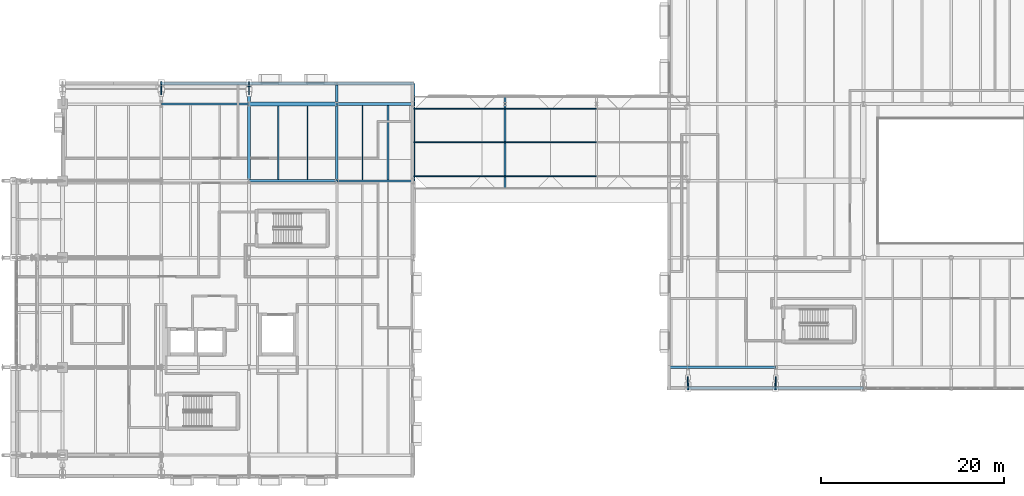
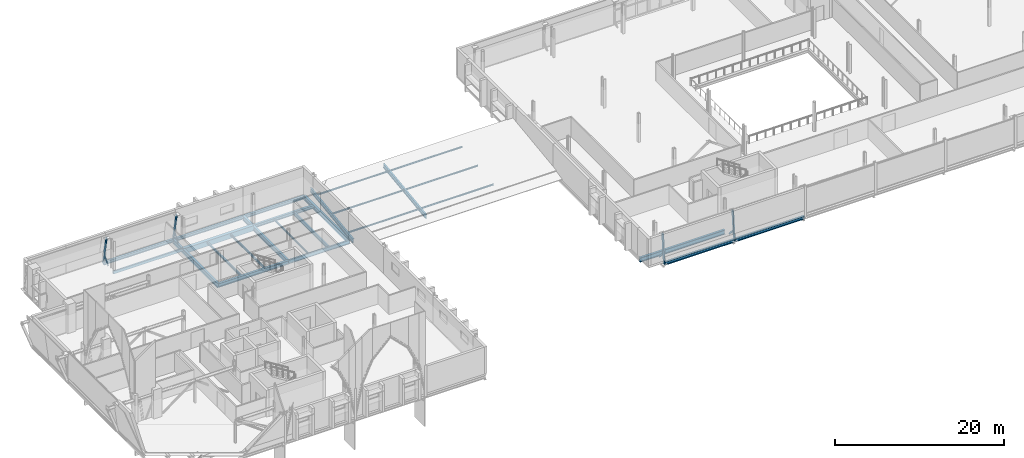
# One storey, part 25 of 90: 20 beams, 14 members.
"""IFC4 building model written with IfcOpenShell, lengths in metres."""

import ifcopenshell
import ifcopenshell.guid

model = None  # the IFC model being written
_history = None  # IfcOwnerHistory: only IFC2X3 demands one
_inside = {}  # id of a spatial element -> (the spatial element, [elements in it])
_under = {}  # id of a project, library or spatial element -> (it, [spatial elements below it])
_declared = {}  # id of a project -> (the project, [libraries it declares])
_typed = {}  # id of a type object -> (the type object, [elements of that type])
_made_of = {}  # id of a material, layer set ... -> (it, [elements and type objects made of it])


def new_model(schema):
    """Start an empty IFC model of exactly this schema.

    Asked for "IFC4X3", IfcOpenShell would pick the latest addendum, in which some entities
    have other attributes; the version numbers below select the first issue.
    IFC2X3 requires an IfcOwnerHistory on every rooted entity: one is made here for all.
    """
    global model, _history
    if schema == "IFC4X3":
        model = ifcopenshell.file(schema_version=(4, 3, 0, 0))
    else:
        model = ifcopenshell.file(schema=schema)
    _inside.clear()
    _under.clear()
    _declared.clear()
    _typed.clear()
    _made_of.clear()
    _history = None
    if model.schema == "IFC2X3":
        org = make("IfcOrganization", Name="unknown")
        user = make(
            "IfcPersonAndOrganization",
            ThePerson=make("IfcPerson", FamilyName="unknown"),
            TheOrganization=org,
        )
        app = make(
            "IfcApplication",
            ApplicationDeveloper=org,
            Version="unknown",
            ApplicationFullName="unknown",
            ApplicationIdentifier="unknown",
        )
        _history = make(
            "IfcOwnerHistory",
            OwningUser=user,
            OwningApplication=app,
            ChangeAction="ADDED",
            CreationDate=0,
        )
    return model


def make(cls, **values):
    """One entity of the class cls with the attributes given. An attribute that is None is left unset."""
    return model.create_entity(
        cls, **{name: value for name, value in values.items() if value is not None}
    )


def rooted(cls, **values):
    """An entity with a GlobalId (a new one), such as an element, a storey or a relation."""
    return make(cls, GlobalId=ifcopenshell.guid.new(), OwnerHistory=_history, **values)


def si_unit(unit_type, name, prefix=None):
    """IfcSIUnit, for example si_unit("LENGTHUNIT", "METRE", prefix="MILLI")."""
    return make("IfcSIUnit", UnitType=unit_type, Prefix=prefix, Name=name)


def assignment(units):
    """IfcUnitAssignment: the units of a project."""
    return None if units is None else make("IfcUnitAssignment", Units=units)


def point(xyz):
    """IfcCartesianPoint."""
    return None if xyz is None else make("IfcCartesianPoint", Coordinates=xyz)


def direction(xyz):
    """IfcDirection."""
    return None if xyz is None else make("IfcDirection", DirectionRatios=xyz)


def frame(location, z_axis=None, x_axis=None):
    """IfcAxis2Placement3D, a coordinate frame: its origin and axes. An axis left out is left unset."""
    return make(
        "IfcAxis2Placement3D",
        Location=point(location),
        Axis=direction(z_axis),
        RefDirection=direction(x_axis),
    )


def frame_2d(location, x_axis=None):
    """IfcAxis2Placement2D, a coordinate frame in the plane: its origin and x axis."""
    return make(
        "IfcAxis2Placement2D", Location=point(location), RefDirection=direction(x_axis)
    )


def origin():
    """The frame at (0, 0, 0) with its axes left unset."""
    return frame((0.0, 0.0, 0.0))


def origin_2d():
    """The frame at (0, 0) in the plane with its x axis left unset."""
    return frame_2d((0.0, 0.0))


def place(relative_to, where):
    """IfcLocalPlacement: puts the frame where relative to a parent placement (None: the world)."""
    return make(
        "IfcLocalPlacement", PlacementRelTo=relative_to, RelativePlacement=where
    )


def context(
    kind, dimensions, precision=None, world=None, true_north=None, identifier=None
):
    """IfcGeometricRepresentationContext, for example the 3D "Model" context."""
    return make(
        "IfcGeometricRepresentationContext",
        ContextIdentifier=identifier,
        ContextType=kind,
        CoordinateSpaceDimension=dimensions,
        Precision=precision,
        WorldCoordinateSystem=world,
        TrueNorth=true_north,
    )


def subcontext(parent, identifier, kind, view, scale=None):
    """IfcGeometricRepresentationSubContext, for example "Body" below "Model"."""
    return make(
        "IfcGeometricRepresentationSubContext",
        ContextIdentifier=identifier,
        ContextType=kind,
        ParentContext=parent,
        TargetScale=scale,
        TargetView=view,
    )


def project(units=None, contexts=None):
    """IfcProject with its units and contexts."""
    return rooted(
        "IfcProject",
        Name="project",
        RepresentationContexts=contexts,
        UnitsInContext=assignment(units),
    )


def spatial(cls, under=None, at=None, **own):
    """A site, building, storey or space (cls), placed at a placement, below another one or the project."""
    s = rooted(cls, ObjectPlacement=at, **own)
    if under is not None:
        _under.setdefault(under.id(), (under, []))[1].append(s)
    return s


def profile(cls, at=None, kind="AREA", **sizes):
    """A parametric profile (cls). Its sizes go by their IFC names, for example OverallWidth=200.0."""
    return make(cls, ProfileType=kind, Position=at, **sizes)


def rectangle(**sizes):
    """IfcRectangleProfileDef."""
    return profile("IfcRectangleProfileDef", **sizes)


def hollow_rectangle(**sizes):
    """IfcRectangleHollowProfileDef."""
    return profile("IfcRectangleHollowProfileDef", **sizes)


def i_section(**sizes):
    """IfcIShapeProfileDef."""
    return profile("IfcIShapeProfileDef", **sizes)


def extrude(swept, where, along, depth):
    """IfcExtrudedAreaSolid: the profile swept, set in the frame where, extruded along a direction by depth."""
    return make(
        "IfcExtrudedAreaSolid",
        SweptArea=swept,
        Position=where,
        ExtrudedDirection=direction(along),
        Depth=depth,
    )


def shape(context_of_items, identifier, shape_type, items):
    """IfcShapeRepresentation: the items that make up one representation, for example the "Body"."""
    return make(
        "IfcShapeRepresentation",
        ContextOfItems=context_of_items,
        RepresentationIdentifier=identifier,
        RepresentationType=shape_type,
        Items=items,
    )


def material(Name=None, Category=None):
    """IfcMaterial."""
    return make("IfcMaterial", Name=Name, Category=Category)


def material_profile(
    of_material, cross_section, Name=None, Category=None, Priority=None
):
    """IfcMaterialProfile: a cross section and its material."""
    return make(
        "IfcMaterialProfile",
        Name=Name,
        Material=of_material,
        Profile=cross_section,
        Priority=Priority,
        Category=Category,
    )


def profile_set(profiles, Name=None, composite=None):
    """IfcMaterialProfileSet."""
    return make(
        "IfcMaterialProfileSet",
        Name=Name,
        MaterialProfiles=profiles,
        CompositeProfile=composite,
    )


def made_of(thing, what):
    """Note that an element or type object is made of a material, layer set ...; save() writes the relation."""
    if what is not None:
        _made_of.setdefault(what.id(), (what, []))[1].append(thing)
    return thing


def type_object(cls, material=None, **own):
    """A type object (cls), such as IfcWallType, which elements share."""
    return made_of(rooted(cls, **own), material)


def element(
    cls,
    number,
    at=None,
    inside=None,
    cuts=None,
    type_object=None,
    material=None,
    context=None,
    identifier="Body",
    shape_type=None,
    held_by="IfcProductDefinitionShape",
    body=None,
    shapes=None,
    **own,
):
    """One element of the class cls, such as IfcWall. Its Tag is "e" and its number.

    at: its placement. inside: the storey or other place that contains it. cuts: it is an
    opening in that element (IfcRelVoidsElement). A single representation is given by context,
    identifier, shape_type and body (its items); several are given by shapes. held_by: the class
    of the entity that holds the representations. save() writes the other relations.
    """
    e = rooted(cls, Tag="e%d" % number, ObjectPlacement=at, **own)
    if body is not None:
        shapes = [shape(context, identifier, shape_type, body)]
    if shapes is not None:
        e.Representation = make(held_by, Representations=shapes)
    if inside is not None:
        _inside.setdefault(inside.id(), (inside, []))[1].append(e)
    if cuts is not None:
        rooted(
            "IfcRelVoidsElement", RelatingBuildingElement=cuts, RelatedOpeningElement=e
        )
    if type_object is not None:
        _typed.setdefault(type_object.id(), (type_object, []))[1].append(e)
    return made_of(e, material)


def aggregate(whole, parts):
    """IfcRelAggregates: a whole, such as a stair, and the parts it consists of."""
    return rooted("IfcRelAggregates", RelatingObject=whole, RelatedObjects=parts)


def save(model, path):
    """Write the relations noted so far, then the file.

    IfcRelAggregates (storeys below a building ...), IfcRelContainedInSpatialStructure (elements
    in a storey), IfcRelDefinesByType, IfcRelAssociatesMaterial and IfcRelDeclares: one each for
    every whole, place, type object, material and project.
    """
    for whole, parts in _under.values():
        aggregate(whole, parts)
    for where, things in _inside.values():
        rooted(
            "IfcRelContainedInSpatialStructure",
            RelatedElements=things,
            RelatingStructure=where,
        )
    for kind, things in _typed.values():
        rooted("IfcRelDefinesByType", RelatedObjects=things, RelatingType=kind)
    for what, things in _made_of.values():
        rooted("IfcRelAssociatesMaterial", RelatedObjects=things, RelatingMaterial=what)
    for by, libraries in _declared.values():
        rooted("IfcRelDeclares", RelatingContext=by, RelatedDefinitions=libraries)
    model.write(path)


model = new_model("IFC4")

# Units and contexts
model_context = context("Model", 3, precision=1e-05, world=origin(), true_north=direction((0.0, 1.0)))
body_context = subcontext(model_context, "Body", "Model", "MODEL_VIEW")
ifc_project = project(units=[si_unit("LENGTHUNIT", "METRE"), si_unit("AREAUNIT", "SQUARE_METRE"), si_unit("VOLUMEUNIT", "CUBIC_METRE"), si_unit("PLANEANGLEUNIT", "RADIAN"), si_unit("MASSUNIT", "GRAM", prefix="KILO")], contexts=[model_context])

# Site, building, storey
site_placement = place(None, origin())
site = spatial("IfcSite", under=ifc_project, at=site_placement, CompositionType="ELEMENT")
building_placement = place(site_placement, origin())
building = spatial("IfcBuilding", under=site, at=building_placement, Name="Zereglee Splitstone Museum", CompositionType="ELEMENT")
storey_placement = place(building_placement, frame((0.0, 0.0, 4.800048828125)))
storey = spatial("IfcBuildingStorey", under=building, at=storey_placement, Name="L01", CompositionType="ELEMENT", Elevation=4.800048828125)

# Beams
ifc_material_1 = material(Name="Steel S355J2", Category="steel")
ifc_material_profile_1 = material_profile(ifc_material_1, i_section(OverallWidth=0.300048828125, OverallDepth=0.550048828125, WebThickness=0.014892578125, FlangeThickness=0.029052734375, FilletRadius=0.027099609375, at=origin_2d()), Name="HE 550 B")
ifc_profile_set_1 = profile_set([ifc_material_profile_1], Name="Steel S355J2")
beam_type_1 = type_object("IfcBeamType", Name="BG-11", PredefinedType="BEAM", material=ifc_profile_set_1)
beam_1_placement = place(storey_placement, frame((30.0, 30.0, -0.574951171875), z_axis=(1.0, 0.0, 0.0), x_axis=(0.0, 1.0, 0.0)))
element("IfcBeam", 1, at=beam_1_placement, inside=storey, type_object=beam_type_1, Name="Primary Girder L01 D (30.0-39.6)", PredefinedType="BEAM", context=body_context, shape_type="SweptSolid", body=[
    extrude(i_section(OverallWidth=0.300048828125, OverallDepth=0.550048828125, WebThickness=0.014892578125, FlangeThickness=0.029052734375, FilletRadius=0.027099609375, at=origin_2d()), origin(), (0.0, 0.0, 1.0), 9.60009765625),
])
ifc_material_profile_2 = material_profile(ifc_material_1, i_section(OverallWidth=0.300048828125, OverallDepth=0.64990234375, WebThickness=0.01611328125, FlangeThickness=0.031005859375, FilletRadius=0.027099609375, at=origin_2d()), Name="HE 650 B")
ifc_profile_set_2 = profile_set([ifc_material_profile_2], Name="Steel S355J2")
beam_type_2 = type_object("IfcBeamType", Name="BG-09", PredefinedType="BEAM", material=ifc_profile_set_2)
beam_2_placement = place(storey_placement, frame((75.949951171875, 9.60009765625, -0.625), z_axis=(1.0, 0.0, 0.0), x_axis=(0.0, 1.0, 0.0)))
element("IfcBeam", 2, at=beam_2_placement, inside=storey, type_object=beam_type_2, Name="Primary Girder L01 B (76.0-87.6)", PredefinedType="BEAM", context=body_context, shape_type="SweptSolid", body=[
    extrude(i_section(OverallWidth=0.300048828125, OverallDepth=0.64990234375, WebThickness=0.01611328125, FlangeThickness=0.031005859375, FilletRadius=0.027099609375, at=origin_2d()), origin(), (0.0, 0.0, 1.0), 11.650146484375),
])
for number, where, z_axis, x_axis, name in (
    (3, (30.0, 30.0, -0.625), (0.0, 1.0, 0.0), (-1.0, 0.0, 0.0), "Primary Girder L01 5 (30.0-40.6)"),
    (4, (39.60009765625, 30.0, -0.625), (0.0, 1.0, 0.0), (-1.0, 0.0, 0.0), "Primary Girder L01 6 (30.0-40.6)"),
    (5, (48.0, 30.0, -0.625), (0.0, 1.0, 0.0), (-1.0, 0.0, 0.0), "Primary Girder L01 7 (30.0-40.6)"),
):
    element("IfcBeam", number, at=place(storey_placement, frame(where, z_axis=z_axis, x_axis=x_axis)), inside=storey, type_object=beam_type_2, Name=name, PredefinedType="BEAM", context=body_context, shape_type="SweptSolid", body=[
        extrude(i_section(OverallWidth=0.300048828125, OverallDepth=0.64990234375, WebThickness=0.01611328125, FlangeThickness=0.031005859375, FilletRadius=0.027099609375, at=origin_2d()), origin(), (0.0, 0.0, 1.0), 10.64990234375),
    ])
ifc_material_profile_3 = material_profile(ifc_material_1, i_section(OverallWidth=0.2099609375, OverallDepth=0.550048828125, WebThickness=0.010986328125, FlangeThickness=0.01708984375, FilletRadius=0.02392578125, at=origin_2d()), Name="IPE 550")
ifc_profile_set_3 = profile_set([ifc_material_profile_3], Name="Steel S355J2")
beam_type_3 = type_object("IfcBeamType", Name="BG-16", PredefinedType="BEAM", material=ifc_profile_set_3)
beam_3_placement = place(storey_placement, frame((39.60009765625, 30.0, -0.574951171875), z_axis=(1.0, 0.0, 0.0), x_axis=(0.0, 1.0, 0.0)))
element("IfcBeam", 6, at=beam_3_placement, inside=storey, type_object=beam_type_3, Name="Primary Girder L01 D (39.6-48.0)", PredefinedType="BEAM", context=body_context, shape_type="SweptSolid", body=[
    extrude(i_section(OverallWidth=0.2099609375, OverallDepth=0.550048828125, WebThickness=0.010986328125, FlangeThickness=0.01708984375, FilletRadius=0.02392578125, at=origin_2d()), origin(), (0.0, 0.0, 1.0), 8.39990234375),
])
ifc_material_profile_4 = material_profile(ifc_material_1, i_section(OverallWidth=0.1201171875, OverallDepth=0.239990234375, WebThickness=0.006103515625, FlangeThickness=0.009765625, FilletRadius=0.014892578125, at=origin_2d()), Name="IPE 240")
ifc_profile_set_4 = profile_set([ifc_material_profile_4], Name="Steel S355J2")
beam_type_4 = type_object("IfcBeamType", Name="BJ-07", PredefinedType="JOIST", material=ifc_profile_set_4)
beam_4_placement = place(storey_placement, frame((42.39990234375, 30.10498046875, -0.420166015625), z_axis=(0.0, 1.0, 0.0), x_axis=(-1.0, 0.0, 0.0)))
element("IfcBeam", 7, at=beam_4_placement, inside=storey, type_object=beam_type_4, Name="Secondary Floor Joist L01-0762", PredefinedType="JOIST", context=body_context, shape_type="SweptSolid", body=[
    extrude(i_section(OverallWidth=0.1201171875, OverallDepth=0.239990234375, WebThickness=0.006103515625, FlangeThickness=0.009765625, FilletRadius=0.014892578125, at=origin_2d()), origin(), (0.0, 0.0, 1.0), 8.14501953125),
])
ifc_material_profile_5 = material_profile(ifc_material_1, i_section(OverallWidth=0.14990234375, OverallDepth=0.300048828125, WebThickness=0.007080078125, FlangeThickness=0.0107421875, FilletRadius=0.014892578125, at=origin_2d()), Name="IPE 300")
ifc_profile_set_5 = profile_set([ifc_material_profile_5], Name="Steel S355J2")
beam_type_5 = type_object("IfcBeamType", Name="BJ-06", PredefinedType="JOIST", material=ifc_profile_set_5)
beam_5_placement = place(storey_placement, frame((36.39990234375, 30.14990234375, -0.449951171875), z_axis=(0.0, 1.0, 0.0), x_axis=(-1.0, 0.0, 0.0)))
element("IfcBeam", 8, at=beam_5_placement, inside=storey, type_object=beam_type_5, Name="Secondary Floor Joist L01-0761", PredefinedType="JOIST", context=body_context, shape_type="SweptSolid", body=[
    extrude(i_section(OverallWidth=0.14990234375, OverallDepth=0.300048828125, WebThickness=0.007080078125, FlangeThickness=0.0107421875, FilletRadius=0.014892578125, at=origin_2d()), origin(), (0.0, 0.0, 1.0), 8.025146484375),
])
ifc_material_profile_6 = material_profile(ifc_material_1, i_section(OverallWidth=0.159912109375, OverallDepth=0.330078125, WebThickness=0.007568359375, FlangeThickness=0.011474609375, FilletRadius=0.01806640625, at=origin_2d()), Name="IPE 330")
ifc_profile_set_6 = profile_set([ifc_material_profile_6], Name="Steel S355J2")
beam_type_6 = type_object("IfcBeamType", Name="BJ-05", PredefinedType="JOIST", material=ifc_profile_set_6)
beam_6_placement = place(storey_placement, frame((33.199951171875, 30.14990234375, -0.465087890625), z_axis=(0.0, 1.0, 0.0), x_axis=(-1.0, 0.0, 0.0)))
element("IfcBeam", 9, at=beam_6_placement, inside=storey, type_object=beam_type_6, Name="Secondary Floor Joist L01-0760", PredefinedType="JOIST", context=body_context, shape_type="SweptSolid", body=[
    extrude(i_section(OverallWidth=0.159912109375, OverallDepth=0.330078125, WebThickness=0.007568359375, FlangeThickness=0.011474609375, FilletRadius=0.01806640625, at=origin_2d()), origin(), (0.0, 0.0, 1.0), 8.025146484375),
])
ifc_material_profile_7 = material_profile(ifc_material_1, i_section(OverallWidth=0.199951171875, OverallDepth=0.5, WebThickness=0.01025390625, FlangeThickness=0.01611328125, FilletRadius=0.02099609375, at=origin_2d()), Name="IPE 500")
ifc_profile_set_7 = profile_set([ifc_material_profile_7], Name="Steel S355J2")
beam_type_7 = type_object("IfcBeamType", Name="BJ-01", PredefinedType="JOIST", material=ifc_profile_set_7)
beam_7_placement = place(storey_placement, frame((45.199951171875, 30.10498046875, -0.550048828125), z_axis=(0.0, 1.0, 0.0), x_axis=(-1.0, 0.0, 0.0)))
element("IfcBeam", 10, at=beam_7_placement, inside=storey, type_object=beam_type_7, Name="Secondary Floor Joist L01-0763", PredefinedType="JOIST", context=body_context, shape_type="SweptSolid", body=[
    extrude(i_section(OverallWidth=0.199951171875, OverallDepth=0.5, WebThickness=0.01025390625, FlangeThickness=0.01611328125, FilletRadius=0.02099609375, at=origin_2d()), origin(), (0.0, 0.0, 1.0), 8.14501953125),
])

# Members
ifc_material_profile_8 = material_profile(ifc_material_1, i_section(OverallWidth=0.110107421875, OverallDepth=0.219970703125, WebThickness=0.005859375, FlangeThickness=0.00927734375, FilletRadius=0.011962890625, at=origin_2d()), Name="IPE 220")
ifc_profile_set_8 = profile_set([ifc_material_profile_8], Name="Steel S355J2")
member_type_1 = type_object("IfcMemberType", Name="PR-04", PredefinedType="PURLIN", material=ifc_profile_set_8)
for number, where, z_axis, x_axis, name in (
    (11, (48.0, 30.5, 0.399658203125), (1.0, 0.0, 0.0), (0.0, 1.0, 0.0), "Roof Purlin RF-L1 (48.0-58.0)"),
    (12, (48.0, 34.199951171875, 0.883544921875), (1.0, 0.0, 0.0), (0.0, 1.0, 0.0), "Roof Purlin RF-L1 (48.0-58.0)"),
    (13, (48.0, 37.89990234375, 1.367431640625), (1.0, 0.0, 0.0), (0.0, 1.0, 0.0), "Roof Purlin RF-L1 (48.0-58.0)"),
    (14, (58.0, 30.5, 0.399658203125), (1.0, 0.0, 0.0), (0.0, 1.0, 0.0), "Roof Purlin RF-L1 (58.0-68.0)"),
    (15, (58.0, 34.199951171875, 0.883544921875), (1.0, 0.0, 0.0), (0.0, 1.0, 0.0), "Roof Purlin RF-L1 (58.0-68.0)"),
    (16, (58.0, 37.89990234375, 1.367431640625), (1.0, 0.0, 0.0), (0.0, 1.0, 0.0), "Roof Purlin RF-L1 (58.0-68.0)"),
):
    element("IfcMember", number, at=place(storey_placement, frame(where, z_axis=z_axis, x_axis=x_axis)), inside=storey, type_object=member_type_1, Name=name, PredefinedType="PURLIN", context=body_context, shape_type="SweptSolid", body=[
        extrude(i_section(OverallWidth=0.110107421875, OverallDepth=0.219970703125, WebThickness=0.005859375, FlangeThickness=0.00927734375, FilletRadius=0.011962890625, at=origin_2d()), origin(), (0.0, 0.0, 1.0), 10.0),
    ])

# Beams
ifc_material_profile_9 = material_profile(ifc_material_1, i_section(OverallWidth=0.219970703125, OverallDepth=0.60009765625, WebThickness=0.011962890625, FlangeThickness=0.01904296875, FilletRadius=0.02392578125, at=origin_2d()), Name="IPE 600")
ifc_profile_set_9 = profile_set([ifc_material_profile_9], Name="Steel S355J2")
beam_type_8 = type_object("IfcBeamType", Name="RR-01", PredefinedType="BEAM", material=ifc_profile_set_9)
for number, where, z_axis, x_axis, name in (
    (17, (48.0, 29.14990234375, 0.03564453125), (0.0, 0.991557588735, 0.129667066837), (-1.0, 0.0, 0.0), "Sloped Roof Girder RF-L1 X=48.0 (29.1-39.2)"),
    (18, (58.0, 29.14990234375, 0.03564453125), (0.0, 0.991557588735, 0.129667066837), (-1.0, 0.0, 0.0), "Sloped Roof Girder RF-L1 X=58.0 (29.1-39.2)"),
):
    element("IfcBeam", number, at=place(storey_placement, frame(where, z_axis=z_axis, x_axis=x_axis)), inside=storey, type_object=beam_type_8, Name=name, PredefinedType="BEAM", context=body_context, shape_type="SweptSolid", body=[
        extrude(i_section(OverallWidth=0.219970703125, OverallDepth=0.60009765625, WebThickness=0.011962890625, FlangeThickness=0.01904296875, FilletRadius=0.02392578125, at=origin_2d()), origin(), (0.0, 0.0, 1.0), 10.18603515625),
    ])
ifc_material_profile_10 = material_profile(ifc_material_1, i_section(OverallWidth=0.300048828125, OverallDepth=0.449951171875, WebThickness=0.013916015625, FlangeThickness=0.02587890625, FilletRadius=0.027099609375, at=origin_2d()), Name="HE 450 B")
ifc_profile_set_10 = profile_set([ifc_material_profile_10], Name="Steel S355J2")
beam_type_9 = type_object("IfcBeamType", Name="SP-02", PredefinedType="SPANDREL", material=ifc_profile_set_10)
beam_8_placement = place(storey_placement, frame((39.60009765625, 38.39990234375, -0.525146484375), z_axis=(1.0, 0.0, 0.0), x_axis=(0.0, 1.0, 0.0)))
element("IfcBeam", 19, at=beam_8_placement, inside=storey, type_object=beam_type_9, Name="Primary Girder L01 E (39.6-48.0)", PredefinedType="SPANDREL", context=body_context, shape_type="SweptSolid", body=[
    extrude(i_section(OverallWidth=0.300048828125, OverallDepth=0.449951171875, WebThickness=0.013916015625, FlangeThickness=0.02587890625, FilletRadius=0.027099609375, at=origin_2d()), origin(), (0.0, 0.0, 1.0), 8.39990234375),
])
for number, where, z_axis, x_axis, name in (
    (20, (20.39990234375, 40.64990234375, -0.525146484375), (1.0, 0.0, 0.0), (0.0, 1.0, 0.0), "Hovering Soffit Spandrel L01 (20.4-30.0)"),
    (21, (30.0, 40.64990234375, -0.525146484375), (1.0, 0.0, 0.0), (0.0, 1.0, 0.0), "Hovering Soffit Spandrel L01 (30.0-39.6)"),
):
    element("IfcBeam", number, at=place(storey_placement, frame(where, z_axis=z_axis, x_axis=x_axis)), inside=storey, type_object=beam_type_9, Name=name, PredefinedType="SPANDREL", context=body_context, shape_type="SweptSolid", body=[
        extrude(i_section(OverallWidth=0.300048828125, OverallDepth=0.449951171875, WebThickness=0.013916015625, FlangeThickness=0.02587890625, FilletRadius=0.027099609375, at=origin_2d()), origin(), (0.0, 0.0, 1.0), 9.60009765625),
    ])
beam_9_placement = place(storey_placement, frame((39.60009765625, 40.64990234375, -0.525146484375), z_axis=(1.0, 0.0, 0.0), x_axis=(0.0, 1.0, 0.0)))
element("IfcBeam", 22, at=beam_9_placement, inside=storey, type_object=beam_type_9, Name="Hovering Soffit Spandrel L01 (39.6-48.0)", PredefinedType="SPANDREL", context=body_context, shape_type="SweptSolid", body=[
    extrude(i_section(OverallWidth=0.300048828125, OverallDepth=0.449951171875, WebThickness=0.013916015625, FlangeThickness=0.02587890625, FilletRadius=0.027099609375, at=origin_2d()), origin(), (0.0, 0.0, 1.0), 8.39990234375),
])
beam_10_placement = place(storey_placement, frame((78.0, 7.35009765625, -0.525146484375), z_axis=(1.0, 0.0, 0.0), x_axis=(0.0, 1.0, 0.0)))
element("IfcBeam", 23, at=beam_10_placement, inside=storey, type_object=beam_type_9, Name="Hovering Soffit Spandrel L01 (78.0-87.6)", PredefinedType="SPANDREL", context=body_context, shape_type="SweptSolid", body=[
    extrude(i_section(OverallWidth=0.300048828125, OverallDepth=0.449951171875, WebThickness=0.013916015625, FlangeThickness=0.02587890625, FilletRadius=0.027099609375, at=origin_2d()), origin(), (0.0, 0.0, 1.0), 9.60009765625),
])
beam_11_placement = place(storey_placement, frame((87.60009765625, 7.35009765625, -0.525146484375), z_axis=(1.0, 0.0, 0.0), x_axis=(0.0, 1.0, 0.0)))
element("IfcBeam", 24, at=beam_11_placement, inside=storey, type_object=beam_type_9, Name="Hovering Soffit Spandrel L01 (87.6-97.2)", PredefinedType="SPANDREL", context=body_context, shape_type="SweptSolid", body=[
    extrude(i_section(OverallWidth=0.300048828125, OverallDepth=0.449951171875, WebThickness=0.013916015625, FlangeThickness=0.02587890625, FilletRadius=0.027099609375, at=origin_2d()), origin(), (0.0, 0.0, 1.0), 9.599853515625),
])
ifc_material_2 = material(Name="Concrete C40/50", Category="concrete")
ifc_material_profile_11 = material_profile(ifc_material_2, rectangle(XDim=0.449951171875, YDim=0.75, at=origin_2d()), Name="RC 450x750")
ifc_profile_set_11 = profile_set([ifc_material_profile_11], Name="Concrete C40/50")
beam_type_10 = type_object("IfcBeamType", Name="SP-01", PredefinedType="SPANDREL", material=ifc_profile_set_11)
beam_12_placement = place(storey_placement, frame((30.0, 38.39990234375, -0.675048828125), z_axis=(1.0, 0.0, 0.0), x_axis=(0.0, 1.0, 0.0)))
element("IfcBeam", 25, at=beam_12_placement, inside=storey, type_object=beam_type_10, Name="Primary Girder L01 E (30.0-39.6)", PredefinedType="SPANDREL", context=body_context, shape_type="SweptSolid", body=[
    extrude(rectangle(XDim=0.449951171875, YDim=0.75, at=origin_2d()), origin(), (0.0, 0.0, 1.0), 9.60009765625),
])
ifc_material_3 = material(Name="Steel S355J2H", Category="steel")
ifc_material_profile_12 = material_profile(ifc_material_3, hollow_rectangle(XDim=0.199951171875, YDim=0.39990234375, WallThickness=0.01611328125, at=origin_2d()), Name="RHS 400x200x16")
ifc_profile_set_12 = profile_set([ifc_material_profile_12], Name="Steel S355J2H")
beam_type_11 = type_object("IfcBeamType", Name="SP-04", PredefinedType="SPANDREL", material=ifc_profile_set_12)
beam_13_placement = place(storey_placement, frame((20.39990234375, 38.39990234375, -0.5), z_axis=(1.0, 0.0, 0.0), x_axis=(0.0, 1.0, 0.0)))
element("IfcBeam", 26, at=beam_13_placement, inside=storey, type_object=beam_type_11, Name="Primary Girder L01 E (20.4-30.0)", PredefinedType="SPANDREL", context=body_context, shape_type="SweptSolid", body=[
    extrude(hollow_rectangle(XDim=0.199951171875, YDim=0.39990234375, WallThickness=0.01611328125, at=origin_2d()), origin(), (0.0, 0.0, 1.0), 9.60009765625),
])

# Members
ifc_material_profile_13 = material_profile(ifc_material_3, hollow_rectangle(XDim=0.14990234375, YDim=0.25, WallThickness=0.010009765625, at=origin_2d()), Name="RHS 250x150x10")
ifc_profile_set_13 = profile_set([ifc_material_profile_13], Name="Steel S355J2H")
member_type_2 = type_object("IfcMemberType", Name="FS-R2", PredefinedType="STRUT", material=ifc_profile_set_13)
for number, where, z_axis, x_axis, name in (
    (27, (20.39990234375, 40.727783203125, -0.550048828125), (0.0, -0.190754560895, 0.981637762873), (1.0, 0.0, 0.0), "Split-Rock Continuous Facet Strut FH-V1NL-N L01-02"),
    (28, (30.0, 40.727783203125, -0.550048828125), (0.0, -0.190754560895, 0.981637762873), (1.0, 0.0, 0.0), "Split-Rock Continuous Facet Strut FH-V1NL-N L01-03"),
):
    element("IfcMember", number, at=place(storey_placement, frame(where, z_axis=z_axis, x_axis=x_axis)), inside=storey, type_object=member_type_2, Name=name, PredefinedType="STRUT", context=body_context, shape_type="SweptSolid", body=[
        extrude(hollow_rectangle(XDim=0.14990234375, YDim=0.25, WallThickness=0.010009765625, at=origin_2d()), origin(), (0.0, 0.0, 1.0), 4.258056640625),
    ])
ifc_material_profile_14 = material_profile(ifc_material_3, hollow_rectangle(XDim=0.14990234375, YDim=0.35009765625, WallThickness=0.012451171875, at=origin_2d()), Name="RHS 350x150x12.5")
ifc_profile_set_14 = profile_set([ifc_material_profile_14], Name="Steel S355J2H")
member_type_3 = type_object("IfcMemberType", Name="FS-R0", PredefinedType="STRUT", material=ifc_profile_set_14)
for number, where, z_axis, x_axis, name in (
    (29, (78.0, 7.3134765625, -0.550048828125), (0.0, 0.090913341279, 0.995858807451), (-1.0, 0.0, 0.0), "Split-Rock Continuous Facet Strut FH-V2SW L01-01"),
    (30, (87.60009765625, 7.3134765625, -0.550048828125), (0.0, 0.090913341279, 0.995858807451), (-1.0, 0.0, 0.0), "Split-Rock Continuous Facet Strut FH-V2SW L01-02"),
):
    element("IfcMember", number, at=place(storey_placement, frame(where, z_axis=z_axis, x_axis=x_axis)), inside=storey, type_object=member_type_3, Name=name, PredefinedType="STRUT", context=body_context, shape_type="SweptSolid", body=[
        extrude(hollow_rectangle(XDim=0.14990234375, YDim=0.35009765625, WallThickness=0.012451171875, at=origin_2d()), origin(), (0.0, 0.0, 1.0), 4.197265625),
    ])
ifc_material_profile_15 = material_profile(ifc_material_3, hollow_rectangle(XDim=0.10009765625, YDim=0.179931640625, WallThickness=0.008056640625, at=origin_2d()), Name="RHS 180x100x8")
ifc_profile_set_15 = profile_set([ifc_material_profile_15], Name="Steel S355J2H")
member_type_4 = type_object("IfcMemberType", Name="FS-T2", PredefinedType="STRUT", material=ifc_profile_set_15)
for number, where, z_axis, x_axis, name in (
    (31, (20.39990234375, 39.5, -0.260009765625), (0.0, 0.63204683129, 0.774930192376), (-1.0, 0.0, 0.0), "Facet Tie-Back Strut FH-V1NL-N L01-02"),
    (32, (30.0, 39.5, -0.260009765625), (0.0, 0.63204683129, 0.774930192376), (-1.0, 0.0, 0.0), "Facet Tie-Back Strut FH-V1NL-N L01-03"),
):
    element("IfcMember", number, at=place(storey_placement, frame(where, z_axis=z_axis, x_axis=x_axis)), inside=storey, type_object=member_type_4, Name=name, PredefinedType="STRUT", context=body_context, shape_type="SweptSolid", body=[
        extrude(hollow_rectangle(XDim=0.10009765625, YDim=0.179931640625, WallThickness=0.008056640625, at=origin_2d()), origin(), (0.0, 0.0, 1.0), 1.496826171875),
    ])
ifc_material_profile_16 = material_profile(ifc_material_3, hollow_rectangle(XDim=0.1201171875, YDim=0.199951171875, WallThickness=0.008056640625, at=origin_2d()), Name="RHS 200x120x8")
ifc_profile_set_16 = profile_set([ifc_material_profile_16], Name="Steel S355J2H")
member_type_5 = type_object("IfcMemberType", Name="FS-T1", PredefinedType="STRUT", material=ifc_profile_set_16)
for number, where, z_axis, x_axis, name in (
    (33, (78.0, 8.5, -0.260009765625), (0.0, -0.67257975444, 0.740024644128), (1.0, 0.0, 0.0), "Facet Tie-Back Strut FH-V2SW L01-01"),
    (34, (87.60009765625, 8.5, -0.260009765625), (0.0, -0.67257975444, 0.740024644128), (1.0, 0.0, 0.0), "Facet Tie-Back Strut FH-V2SW L01-02"),
):
    element("IfcMember", number, at=place(storey_placement, frame(where, z_axis=z_axis, x_axis=x_axis)), inside=storey, type_object=member_type_5, Name=name, PredefinedType="STRUT", context=body_context, shape_type="SweptSolid", body=[
        extrude(hollow_rectangle(XDim=0.1201171875, YDim=0.199951171875, WallThickness=0.008056640625, at=origin_2d()), origin(), (0.0, 0.0, 1.0), 1.5673828125),
    ])

save(model, "model.ifc")
